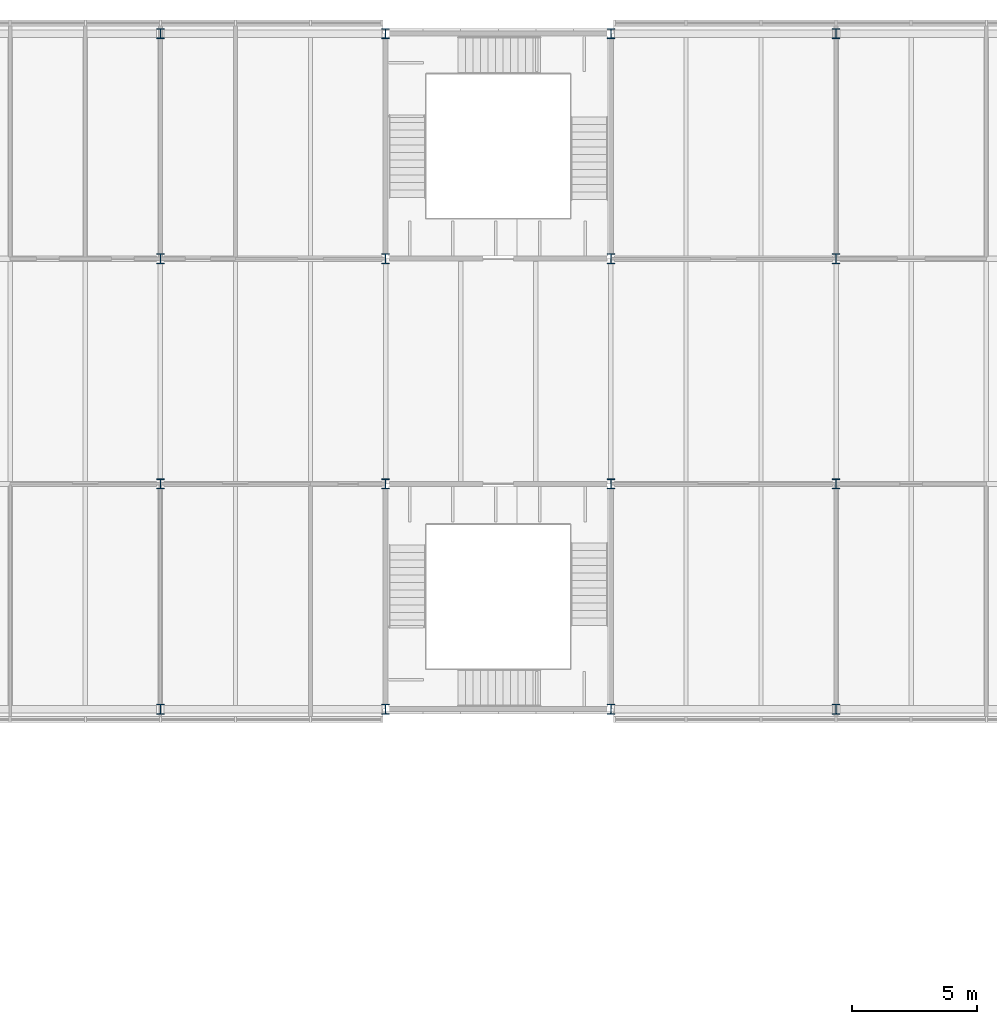
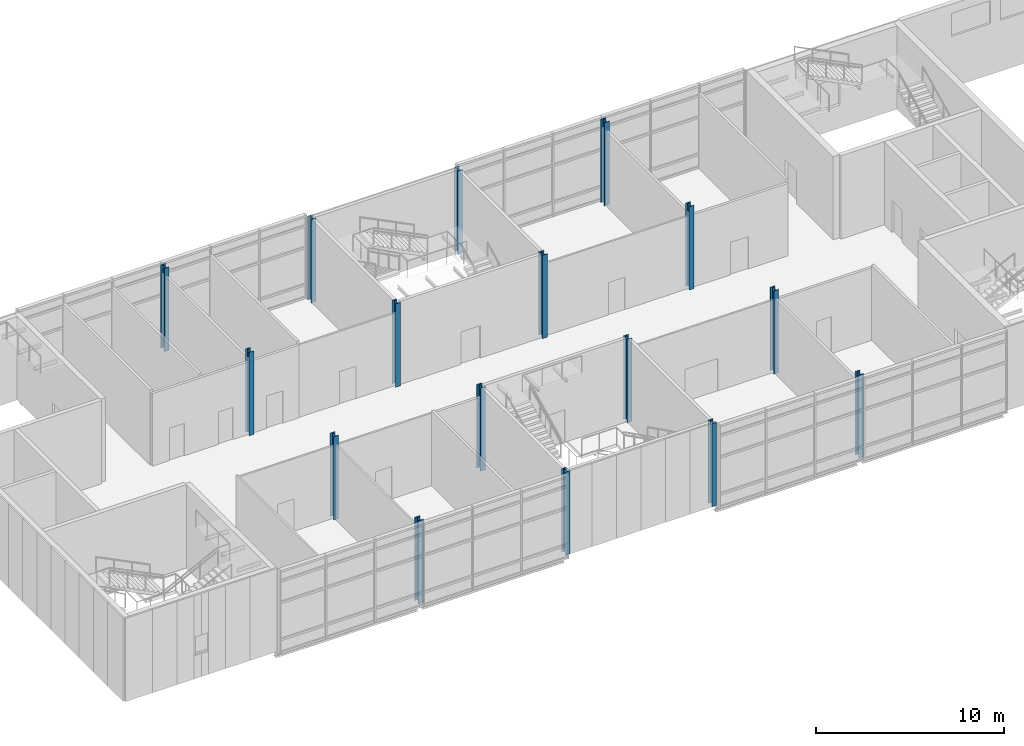
# One storey, part 3 of 56: 16 columns.
"""IFC4 building model written with IfcOpenShell, lengths in metres."""

from ifc_helpers import new_model, si_unit, direction, frame, origin, origin_2d, place, context, subcontext, project, spatial, i_section, extrude, material, material_profile, profile_set, type_object, element, save


model = new_model("IFC4")

# Units and contexts
model_context = context("Model", 3, precision=1e-05, world=origin(), true_north=direction((0.0, 1.0)))
body_context = subcontext(model_context, "Body", "Model", "MODEL_VIEW")
ifc_project = project(units=[si_unit("LENGTHUNIT", "METRE"), si_unit("AREAUNIT", "SQUARE_METRE"), si_unit("VOLUMEUNIT", "CUBIC_METRE"), si_unit("PLANEANGLEUNIT", "RADIAN"), si_unit("MASSUNIT", "GRAM", prefix="KILO")], contexts=[model_context])

# Site, building, storey
site_placement = place(None, origin())
site = spatial("IfcSite", under=ifc_project, at=site_placement, CompositionType="ELEMENT")
building_placement = place(site_placement, origin())
building = spatial("IfcBuilding", under=site, at=building_placement, Name="Azimuth Sports and Learning Centre", CompositionType="ELEMENT")
storey_placement = place(building_placement, frame((0.0, 0.0, 5.39990234375)))
storey = spatial("IfcBuildingStorey", under=building, at=storey_placement, Name="L01", CompositionType="ELEMENT", Elevation=5.39990234375)

# Columns
ifc_material = material(Name="Steel S355", Category="steel")
ifc_material_profile = material_profile(ifc_material, i_section(OverallWidth=0.300048828125, OverallDepth=0.39990234375, WebThickness=0.013427734375, FlangeThickness=0.02392578125, FilletRadius=0.027099609375, at=origin_2d()), Name="HEB 400")
ifc_profile_set = profile_set([ifc_material_profile], Name="Steel S355")
column_type = type_object("IfcColumnType", Name="Column HEB 400", PredefinedType="COLUMN", material=ifc_profile_set)
for number, where, z_axis, x_axis, name in (
    (1, (18.0, 90.0, 0.0), (0.0, 0.0, 1.0), (1.0, 0.0, 0.0), "Column 3L L01"),
    (2, (27.0, 90.0, 0.0), (0.0, 0.0, 1.0), (1.0, 0.0, 0.0), "Column 4L L01"),
    (3, (36.0, 90.0, 0.0), (0.0, 0.0, 1.0), (1.0, 0.0, 0.0), "Column 5L L01"),
    (4, (45.0, 90.0, 0.0), (0.0, 0.0, 1.0), (1.0, 0.0, 0.0), "Column 6L L01"),
    (5, (18.0, 99.0, 0.0), (0.0, 0.0, 1.0), (1.0, 0.0, 0.0), "Column 3M L01"),
    (6, (27.0, 99.0, 0.0), (0.0, 0.0, 1.0), (1.0, 0.0, 0.0), "Column 4M L01"),
    (7, (36.0, 99.0, 0.0), (0.0, 0.0, 1.0), (1.0, 0.0, 0.0), "Column 5M L01"),
    (8, (45.0, 99.0, 0.0), (0.0, 0.0, 1.0), (1.0, 0.0, 0.0), "Column 6M L01"),
    (9, (18.0, 108.0, 0.0), (0.0, 0.0, 1.0), (1.0, 0.0, 0.0), "Column 3N L01"),
    (10, (27.0, 108.0, 0.0), (0.0, 0.0, 1.0), (1.0, 0.0, 0.0), "Column 4N L01"),
    (11, (36.0, 108.0, 0.0), (0.0, 0.0, 1.0), (1.0, 0.0, 0.0), "Column 5N L01"),
    (12, (45.0, 108.0, 0.0), (0.0, 0.0, 1.0), (1.0, 0.0, 0.0), "Column 6N L01"),
    (13, (18.0, 117.0, 0.0), (0.0, 0.0, 1.0), (1.0, 0.0, 0.0), "Column 3P L01"),
    (14, (27.0, 117.0, 0.0), (0.0, 0.0, 1.0), (1.0, 0.0, 0.0), "Column 4P L01"),
    (15, (36.0, 117.0, 0.0), (0.0, 0.0, 1.0), (1.0, 0.0, 0.0), "Column 5P L01"),
    (16, (45.0, 117.0, 0.0), (0.0, 0.0, 1.0), (1.0, 0.0, 0.0), "Column 6P L01"),
):
    element("IfcColumn", number, at=place(storey_placement, frame(where, z_axis=z_axis, x_axis=x_axis)), inside=storey, type_object=column_type, Name=name, PredefinedType="COLUMN", context=body_context, shape_type="SweptSolid", body=[
        extrude(i_section(OverallWidth=0.300048828125, OverallDepth=0.39990234375, WebThickness=0.013427734375, FlangeThickness=0.02392578125, FilletRadius=0.027099609375, at=origin_2d()), origin(), (0.0, 0.0, 1.0), 5.400146484375),
    ])

save(model, "model.ifc")
